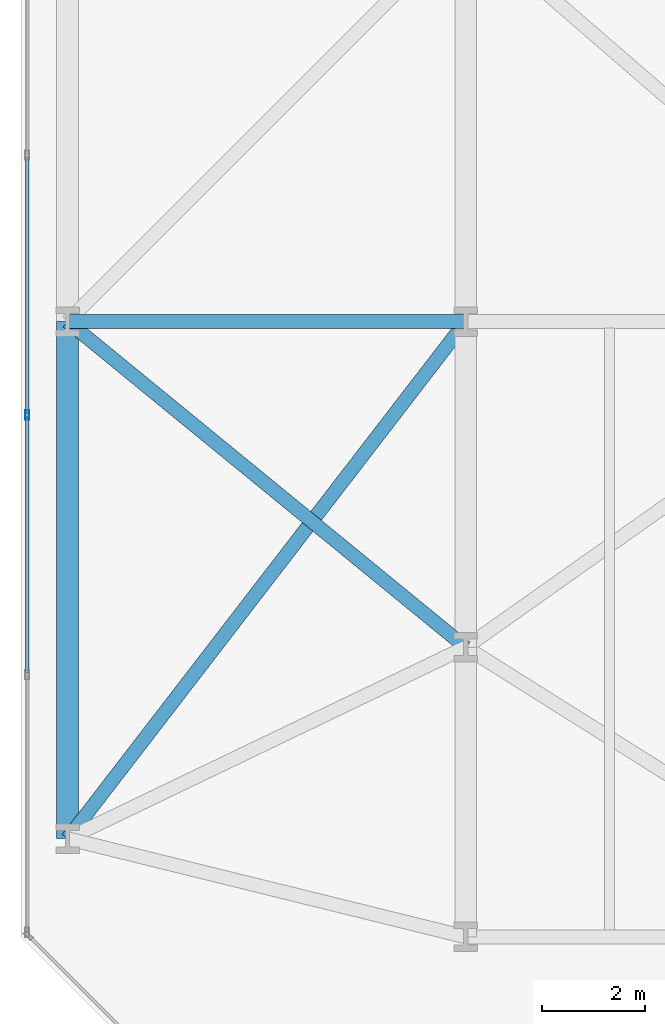
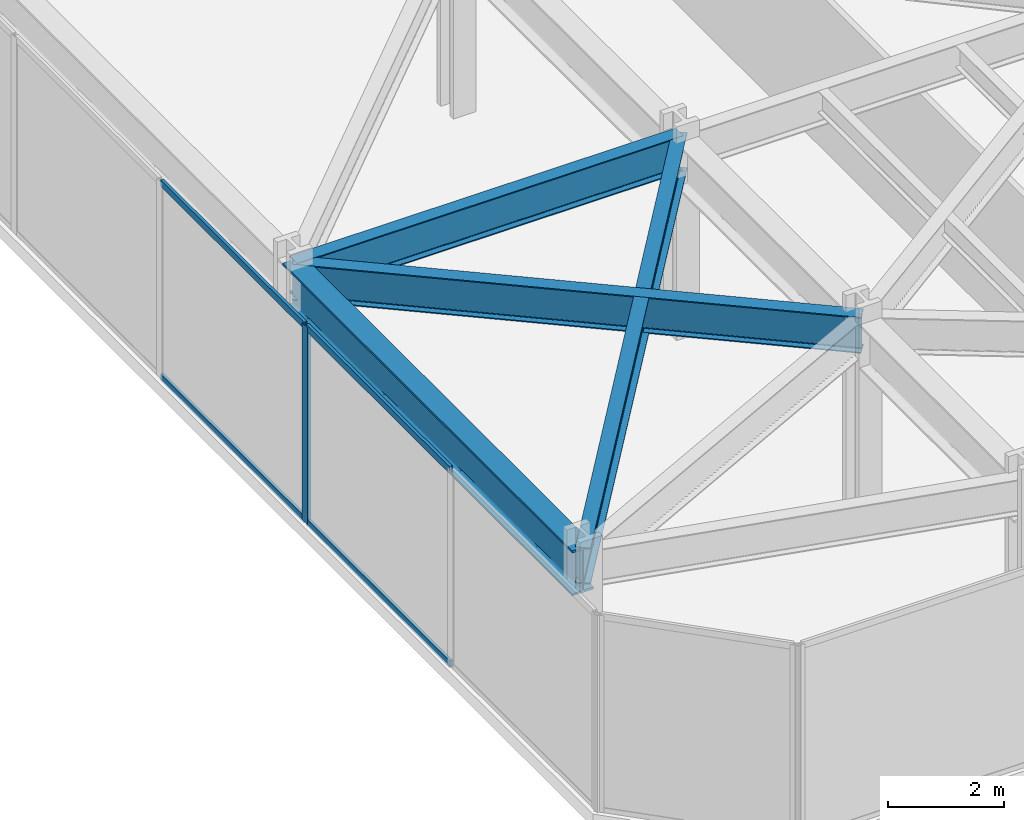
# One storey, part 4 of 30: 5 members, 4 beams, 1 element without a shape of its own.
"""IFC4 building model written with IfcOpenShell, lengths in metres."""

from ifc_helpers import new_model, si_unit, direction, frame, origin, origin_2d, place, context, subcontext, project, spatial, hollow_rectangle, i_section, extrude, material, layer, layer_set, material_profile, profile_set, type_object, element, aggregate, save


model = new_model("IFC4")

# Units and contexts
model_context = context("Model", 3, precision=1e-05, world=origin(), true_north=direction((0.0, 1.0)))
body_context = subcontext(model_context, "Body", "Model", "MODEL_VIEW")
ifc_project = project(units=[si_unit("LENGTHUNIT", "METRE"), si_unit("AREAUNIT", "SQUARE_METRE"), si_unit("VOLUMEUNIT", "CUBIC_METRE"), si_unit("PLANEANGLEUNIT", "RADIAN"), si_unit("MASSUNIT", "GRAM", prefix="KILO")], contexts=[model_context])

# Site, building, storey
site_placement = place(None, origin())
site = spatial("IfcSite", under=ifc_project, at=site_placement, CompositionType="ELEMENT")
building_placement = place(site_placement, origin())
building = spatial("IfcBuilding", under=site, at=building_placement, Name="Kravanh Interchange Tower", CompositionType="ELEMENT")
storey_placement = place(building_placement, frame((0.0, 0.0, 19.800048828125)))
storey = spatial("IfcBuildingStorey", under=building, at=storey_placement, Name="L04", CompositionType="ELEMENT", Elevation=19.800048828125)

# Curtain wall, members
ifc_material_1 = material(Name="Anodised Bronze Aluminium", Category="aluminium")
ifc_layer = layer(ifc_material_1, 0.179931640625)
ifc_layer_set = layer_set([ifc_layer], Name="Unitised Curtain Wall System CW-POD Podium Concourse")
curtain_wall_type = type_object("IfcCurtainWallType", Name="Unitised Curtain Wall System CW-POD Podium Concourse", PredefinedType="NOTDEFINED", material=ifc_layer_set)
curtain_wall_placement = place(storey_placement, origin())
curtain_wall = element("IfcCurtainWall", 1, at=curtain_wall_placement, inside=storey, type_object=curtain_wall_type, Name="L04 Unitised Curtain Wall CW-L04-01", PredefinedType="NOTDEFINED")
ifc_material_2 = material(Name="Anodised Bronze Aluminium", Category="aluminium")
ifc_material_profile_1 = material_profile(ifc_material_2, hollow_rectangle(XDim=0.070068359375, YDim=0.179931640625, WallThickness=0.00390625, at=origin_2d()), Name="ALU70X180X4")
ifc_profile_set_1 = profile_set([ifc_material_profile_1], Name="Anodised Bronze Aluminium")
member_type_1 = type_object("IfcMemberType", Name="Curtain Wall Mullion ALU70X180X4 Bronze", PredefinedType="MULLION", material=ifc_profile_set_1)
member_1_placement = place(storey_placement, frame((0.1201171875, 12.692626953125, 0.0), z_axis=(0.0, 0.0, 1.0), x_axis=(-1.0, 0.0, 0.0)))
member_1 = element("IfcMember", 2, at=member_1_placement, type_object=member_type_1, Name="CW-POD mullion 3", PredefinedType="MULLION", context=body_context, shape_type="SweptSolid", body=[
    extrude(hollow_rectangle(XDim=0.070068359375, YDim=0.179931640625, WallThickness=0.00390625, at=origin_2d()), origin(), (0.0, 0.0, 1.0), 4.14990234375),
])
ifc_material_3 = material(Name="Anodised Bronze Aluminium", Category="aluminium")
ifc_material_profile_2 = material_profile(ifc_material_3, hollow_rectangle(XDim=0.06005859375, YDim=0.139892578125, WallThickness=0.00390625, at=origin_2d()), Name="ALU60X140X4")
ifc_profile_set_2 = profile_set([ifc_material_profile_2], Name="Anodised Bronze Aluminium")
member_type_2 = type_object("IfcMemberType", Name="Curtain Wall Transom ALU60X140X4 Bronze", PredefinedType="USERDEFINED", material=ifc_profile_set_2)
member_2_placement = place(storey_placement, frame((0.1201171875, 7.7060546875, 0.030029296875), z_axis=(0.0, 1.0, 0.0), x_axis=(-1.0, 0.0, 0.0)))
member_2 = element("IfcMember", 3, at=member_2_placement, type_object=member_type_2, Name="CW-POD transom 2.1", ObjectType="TRANSOM", PredefinedType="USERDEFINED", context=body_context, shape_type="SweptSolid", body=[
    extrude(hollow_rectangle(XDim=0.06005859375, YDim=0.139892578125, WallThickness=0.00390625, at=origin_2d()), origin(), (0.0, 0.0, 1.0), 4.95166015625),
])
member_3_placement = place(storey_placement, frame((0.1201171875, 7.7060546875, 4.119873046875), z_axis=(0.0, 1.0, 0.0), x_axis=(-1.0, 0.0, 0.0)))
member_3 = element("IfcMember", 4, at=member_3_placement, type_object=member_type_2, Name="CW-POD transom 2.2", ObjectType="TRANSOM", PredefinedType="USERDEFINED", context=body_context, shape_type="SweptSolid", body=[
    extrude(hollow_rectangle(XDim=0.06005859375, YDim=0.139892578125, WallThickness=0.00390625, at=origin_2d()), origin(), (0.0, 0.0, 1.0), 4.95166015625),
])
member_4_placement = place(storey_placement, frame((0.1201171875, 12.7275390625, 0.030029296875), z_axis=(0.0, 1.0, 0.0), x_axis=(-1.0, 0.0, 0.0)))
member_4 = element("IfcMember", 5, at=member_4_placement, type_object=member_type_2, Name="CW-POD transom 3.1", ObjectType="TRANSOM", PredefinedType="USERDEFINED", context=body_context, shape_type="SweptSolid", body=[
    extrude(hollow_rectangle(XDim=0.06005859375, YDim=0.139892578125, WallThickness=0.00390625, at=origin_2d()), origin(), (0.0, 0.0, 1.0), 4.95166015625),
])
member_5_placement = place(storey_placement, frame((0.1201171875, 12.7275390625, 4.119873046875), z_axis=(0.0, 1.0, 0.0), x_axis=(-1.0, 0.0, 0.0)))
member_5 = element("IfcMember", 6, at=member_5_placement, type_object=member_type_2, Name="CW-POD transom 3.2", ObjectType="TRANSOM", PredefinedType="USERDEFINED", context=body_context, shape_type="SweptSolid", body=[
    extrude(hollow_rectangle(XDim=0.06005859375, YDim=0.139892578125, WallThickness=0.00390625, at=origin_2d()), origin(), (0.0, 0.0, 1.0), 4.95166015625),
])
aggregate(curtain_wall, [member_1, member_2, member_3, member_4, member_5])

# Beams
ifc_material_4 = material(Name="Structural Steel S450", Category="steel")
ifc_material_profile_3 = material_profile(ifc_material_4, i_section(OverallWidth=0.423095703125, OverallDepth=0.947998046875, WebThickness=0.02392578125, FlangeThickness=0.042724609375, FilletRadius=0.028076171875, at=origin_2d()), Name="W36X302")
ifc_profile_set_3 = profile_set([ifc_material_profile_3], Name="Structural Steel S450")
beam_type_1 = type_object("IfcBeamType", Name="Floor Beam W36X302 Structural Steel S450", PredefinedType="BEAM", material=ifc_profile_set_3)
beam_1_placement = place(storey_placement, frame((0.89990234375, 4.5, 3.676025390625), z_axis=(0.0, 1.0, 0.0), x_axis=(-1.0, 0.0, 0.0)))
element("IfcBeam", 7, at=beam_1_placement, inside=storey, type_object=beam_type_1, Name="L04 Primary Floor Girder 122", PredefinedType="BEAM", context=body_context, shape_type="SweptSolid", body=[
    extrude(i_section(OverallWidth=0.423095703125, OverallDepth=0.947998046875, WebThickness=0.02392578125, FlangeThickness=0.042724609375, FilletRadius=0.028076171875, at=origin_2d()), origin(), (0.0, 0.0, 1.0), 10.0),
])
ifc_material_5 = material(Name="Structural Steel S355", Category="steel")
ifc_material_profile_4 = material_profile(ifc_material_5, i_section(OverallWidth=0.26708984375, OverallDepth=0.761962890625, WebThickness=0.014404296875, FlangeThickness=0.021484375, FilletRadius=0.02490234375, at=origin_2d()), Name="W30X116")
ifc_profile_set_4 = profile_set([ifc_material_profile_4], Name="Structural Steel S355")
beam_type_2 = type_object("IfcBeamType", Name="Floor Spandrel W30X116 Structural Steel S355", PredefinedType="SPANDREL", material=ifc_profile_set_4)
beam_2_placement = place(storey_placement, frame((8.60009765625, 8.199951171875, 3.76904296875), z_axis=(-0.773962765803, 0.633231108799, 0.0), x_axis=(-0.633231108799, -0.773962765803, 0.0)))
element("IfcBeam", 8, at=beam_2_placement, inside=storey, type_object=beam_type_2, Name="L04 Perimeter Spandrel 25", PredefinedType="SPANDREL", context=body_context, shape_type="SweptSolid", body=[
    extrude(i_section(OverallWidth=0.26708984375, OverallDepth=0.761962890625, WebThickness=0.014404296875, FlangeThickness=0.021484375, FilletRadius=0.02490234375, at=origin_2d()), origin(), (0.0, 0.0, 1.0), 9.948974609375),
])
beam_3_placement = place(storey_placement, frame((8.60009765625, 14.5, 3.76904296875), z_axis=(-1.0, 0.0, 0.0), x_axis=(0.0, -1.0, 0.0)))
element("IfcBeam", 9, at=beam_3_placement, inside=storey, type_object=beam_type_2, Name="L04 Perimeter Spandrel 38", PredefinedType="SPANDREL", context=body_context, shape_type="SweptSolid", body=[
    extrude(i_section(OverallWidth=0.26708984375, OverallDepth=0.761962890625, WebThickness=0.014404296875, FlangeThickness=0.021484375, FilletRadius=0.02490234375, at=origin_2d()), origin(), (0.0, 0.0, 1.0), 7.7001953125),
])
beam_4_placement = place(storey_placement, frame((8.60009765625, 14.5, 3.76904296875), z_axis=(-0.610103314761, -0.792321869771, 0.0), x_axis=(0.792321869771, -0.610103314761, 0.0)))
element("IfcBeam", 10, at=beam_4_placement, inside=storey, type_object=beam_type_2, Name="L04 Perimeter Spandrel 40", PredefinedType="SPANDREL", context=body_context, shape_type="SweptSolid", body=[
    extrude(i_section(OverallWidth=0.26708984375, OverallDepth=0.761962890625, WebThickness=0.014404296875, FlangeThickness=0.021484375, FilletRadius=0.02490234375, at=origin_2d()), origin(), (0.0, 0.0, 1.0), 12.62109375),
])

save(model, "model.ifc")
